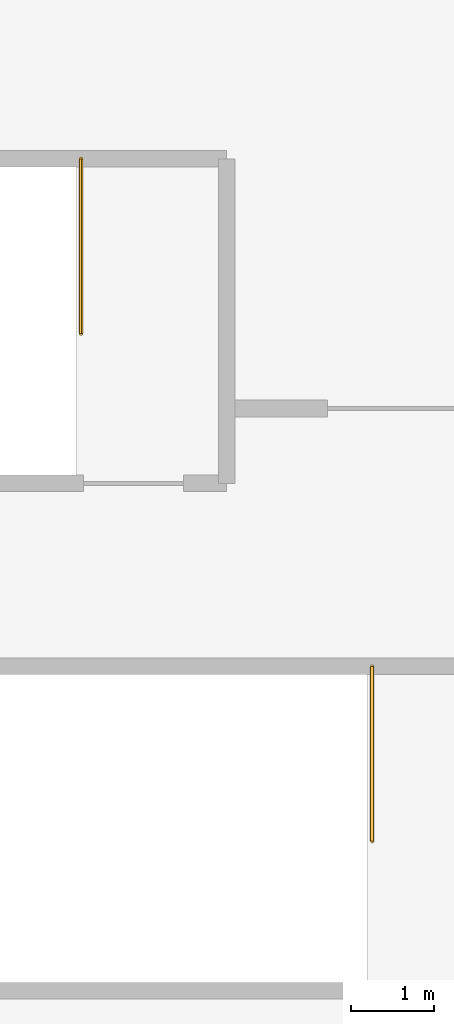
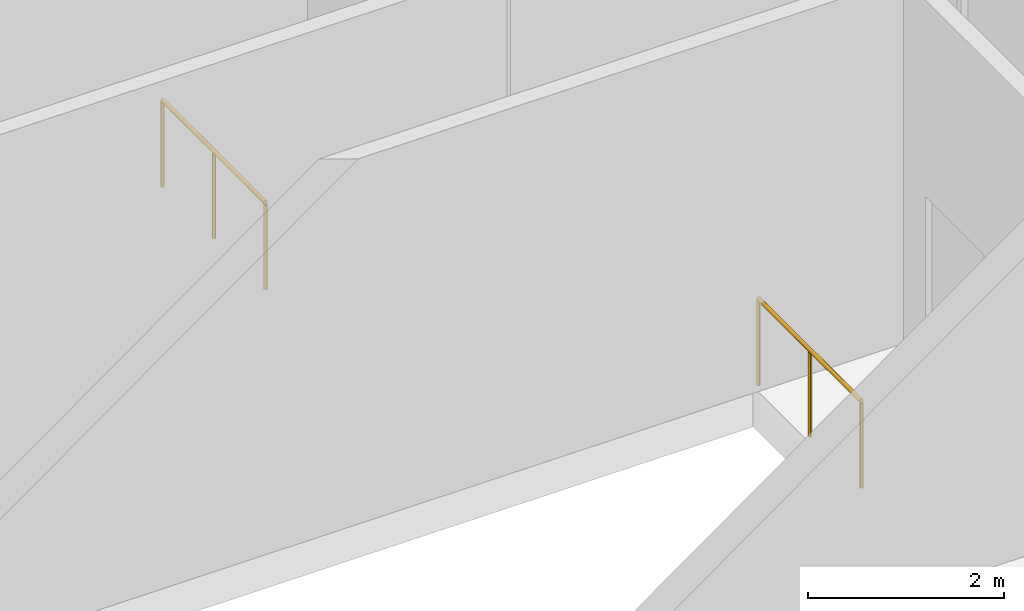
# One storey, part 38 of 38: 2 railings.
"""IFC4 building model written with IfcOpenShell, lengths in metres."""

from ifc_helpers import new_model, si_unit, direction, frame, origin, origin_2d, place, context, subcontext, project, spatial, circle, extrude, material, type_object, element, save


model = new_model("IFC4")

# Units and contexts
model_context = context("Model", 3, precision=1e-05, world=origin(), true_north=direction((0.0, 1.0)))
body_context = subcontext(model_context, "Body", "Model", "MODEL_VIEW")
ifc_project = project(units=[si_unit("LENGTHUNIT", "METRE"), si_unit("AREAUNIT", "SQUARE_METRE"), si_unit("VOLUMEUNIT", "CUBIC_METRE"), si_unit("PLANEANGLEUNIT", "RADIAN"), si_unit("MASSUNIT", "GRAM", prefix="KILO")], contexts=[model_context])

# Site, building, storey
site_placement = place(None, origin())
site = spatial("IfcSite", under=ifc_project, at=site_placement, CompositionType="ELEMENT")
building_placement = place(site_placement, origin())
building = spatial("IfcBuilding", under=site, at=building_placement, Name="Tamarind Cross Interchange Tower", CompositionType="ELEMENT")
storey_placement = place(building_placement, frame((0.0, 0.0, 20.0)))
storey = spatial("IfcBuildingStorey", under=building, at=storey_placement, Name="L03", CompositionType="ELEMENT", Elevation=20.0)

# Railings
ifc_material = material(Name="Public stair guard")
railing_type = type_object("IfcRailingType", Name="Public stair guard", PredefinedType="GUARDRAIL", material=ifc_material)
railing_1_placement = place(storey_placement, frame((57.75, 52.5, 0.0)))
element("IfcRailing", 1, at=railing_1_placement, inside=storey, type_object=railing_type, Name="L03 XS-P01 top well guard 1", PredefinedType="GUARDRAIL", context=body_context, shape_type="SweptSolid", body=[
    extrude(circle(Radius=0.02392578125, at=origin_2d()), frame((0.0, 0.0, 1.076171875), z_axis=(0.0, -1.0, 0.0), x_axis=(1.0, 0.0, 0.0)), (0.0, 0.0, 1.0), 2.10009765625),
    extrude(circle(Radius=0.02099609375, at=origin_2d()), origin(), (0.0, 0.0, 1.0), 1.052001953125),
    extrude(circle(Radius=0.02099609375, at=origin_2d()), frame((0.0, -1.050048828125, 0.0)), (0.0, 0.0, 1.0), 1.052001953125),
    extrude(circle(Radius=0.02099609375, at=origin_2d()), frame((0.0, -2.10009765625, 0.0)), (0.0, 0.0, 1.0), 1.052001953125),
])
railing_2_placement = place(storey_placement, frame((61.25, 46.39990234375, 0.0)))
element("IfcRailing", 2, at=railing_2_placement, inside=storey, type_object=railing_type, Name="L03 XS-P02 top well guard 1", PredefinedType="GUARDRAIL", context=body_context, shape_type="SweptSolid", body=[
    extrude(circle(Radius=0.02392578125, at=origin_2d()), frame((0.0, 0.0, 1.076171875), z_axis=(0.0, -1.0, 0.0), x_axis=(1.0, 0.0, 0.0)), (0.0, 0.0, 1.0), 2.099853515625),
    extrude(circle(Radius=0.02099609375, at=origin_2d()), origin(), (0.0, 0.0, 1.0), 1.052001953125),
    extrude(circle(Radius=0.02099609375, at=origin_2d()), frame((0.0, -1.0498046875, 0.0)), (0.0, 0.0, 1.0), 1.052001953125),
    extrude(circle(Radius=0.02099609375, at=origin_2d()), frame((0.0, -2.099853515625, 0.0)), (0.0, 0.0, 1.0), 1.052001953125),
])

save(model, "model.ifc")
